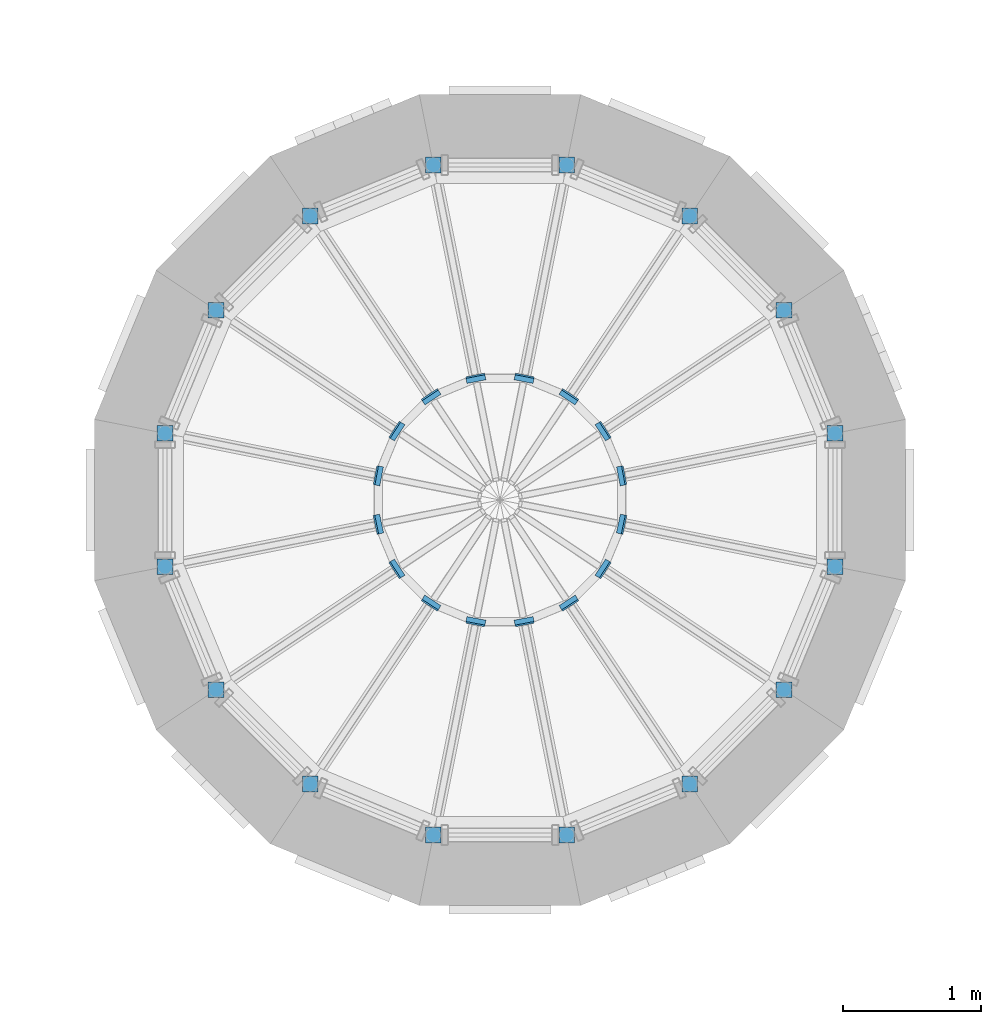
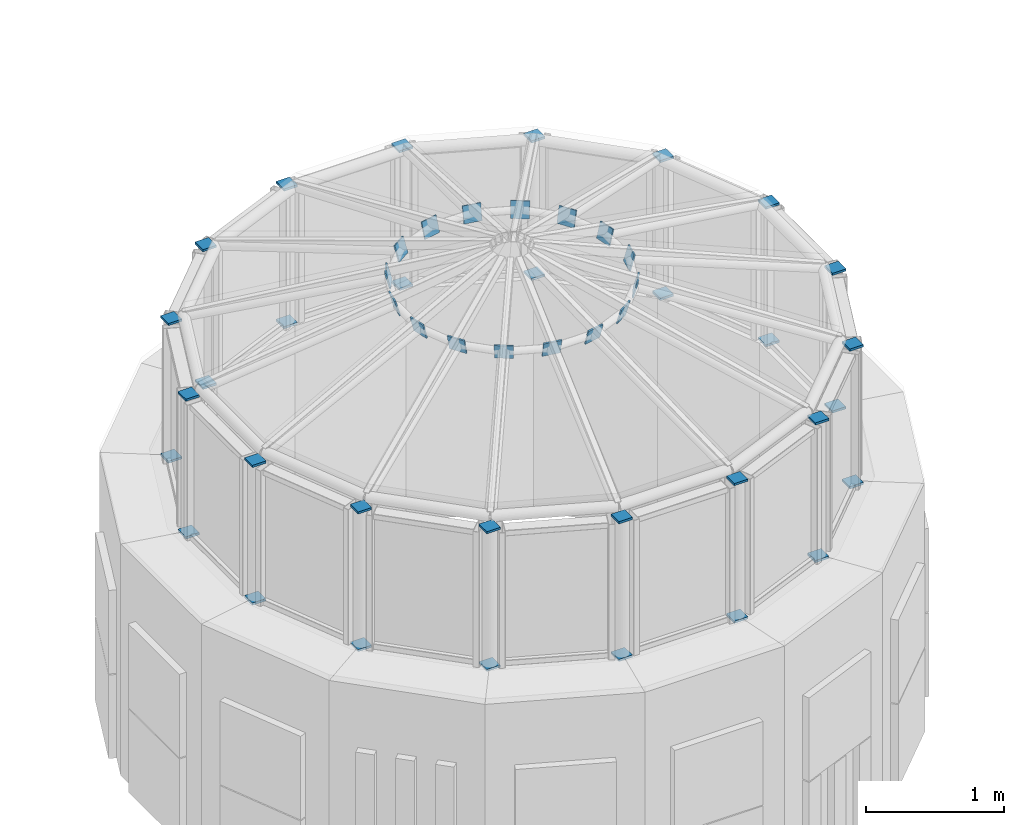
# One storey, part 30 of 36: 48 discrete accessories.
"""IFC4 building model written with IfcOpenShell, lengths in metres."""

from ifc_helpers import new_model, si_unit, direction, frame, origin, origin_2d, place, context, subcontext, project, spatial, rectangle, extrude, material, material_profile, profile_set, type_object, element, save


model = new_model("IFC4")

# Units and contexts
model_context = context("Model", 3, precision=1e-05, world=origin(), true_north=direction((0.0, 1.0)))
body_context = subcontext(model_context, "Body", "Model", "MODEL_VIEW")
ifc_project = project(units=[si_unit("LENGTHUNIT", "METRE"), si_unit("AREAUNIT", "SQUARE_METRE"), si_unit("VOLUMEUNIT", "CUBIC_METRE"), si_unit("PLANEANGLEUNIT", "RADIAN"), si_unit("MASSUNIT", "GRAM", prefix="KILO")], contexts=[model_context])

# Site, building, storey
site_placement = place(None, origin())
site = spatial("IfcSite", under=ifc_project, at=site_placement, CompositionType="ELEMENT")
building_placement = place(site_placement, origin())
building = spatial("IfcBuilding", under=site, at=building_placement, Name="Sun Court Science Centre", CompositionType="ELEMENT")
storey_placement = place(building_placement, frame((0.0, 0.0, 24.75)))
storey = spatial("IfcBuildingStorey", under=building, at=storey_placement, Name="L05", CompositionType="ELEMENT", Elevation=24.75)

# Discrete accessories
ifc_material_1 = material(Name="Steel S355", Category="steel")
discrete_accessory_type_1 = type_object("IfcDiscreteAccessoryType", Name="Hollow section end plate 20", PredefinedType="BRACKET", material=ifc_material_1)
for number, where, z_axis, x_axis, name in (
    (1, (44.4306640625, 24.68359375, 1.72998046875), (0.0, 0.0, 1.0), (1.0, 0.0, 0.0), "Cone 4 clerestory post 1 end plate"),
    (2, (44.4306640625, 24.68359375, 2.949951171875), (0.0, 0.0, 1.0), (1.0, 0.0, 0.0), "Cone 4 clerestory post 1 end plate"),
    (3, (44.060546875, 25.576904296875, 1.72998046875), (0.0, 0.0, 1.0), (1.0, 0.0, 0.0), "Cone 4 clerestory post 2 end plate"),
    (4, (44.060546875, 25.576904296875, 2.949951171875), (0.0, 0.0, 1.0), (1.0, 0.0, 0.0), "Cone 4 clerestory post 2 end plate"),
    (5, (43.376953125, 26.260498046875, 1.72998046875), (0.0, 0.0, 1.0), (1.0, 0.0, 0.0), "Cone 4 clerestory post 3 end plate"),
    (6, (43.376953125, 26.260498046875, 2.949951171875), (0.0, 0.0, 1.0), (1.0, 0.0, 0.0), "Cone 4 clerestory post 3 end plate"),
    (7, (42.4833984375, 26.630615234375, 1.72998046875), (0.0, 0.0, 1.0), (1.0, 0.0, 0.0), "Cone 4 clerestory post 4 end plate"),
    (8, (42.4833984375, 26.630615234375, 2.949951171875), (0.0, 0.0, 1.0), (1.0, 0.0, 0.0), "Cone 4 clerestory post 4 end plate"),
    (9, (41.5166015625, 26.630615234375, 1.72998046875), (0.0, 0.0, 1.0), (1.0, 0.0, 0.0), "Cone 4 clerestory post 5 end plate"),
    (10, (41.5166015625, 26.630615234375, 2.949951171875), (0.0, 0.0, 1.0), (1.0, 0.0, 0.0), "Cone 4 clerestory post 5 end plate"),
    (11, (40.623046875, 26.260498046875, 1.72998046875), (0.0, 0.0, 1.0), (1.0, 0.0, 0.0), "Cone 4 clerestory post 6 end plate"),
    (12, (40.623046875, 26.260498046875, 2.949951171875), (0.0, 0.0, 1.0), (1.0, 0.0, 0.0), "Cone 4 clerestory post 6 end plate"),
    (13, (39.939453125, 25.576904296875, 1.72998046875), (0.0, 0.0, 1.0), (1.0, 0.0, 0.0), "Cone 4 clerestory post 7 end plate"),
    (14, (39.939453125, 25.576904296875, 2.949951171875), (0.0, 0.0, 1.0), (1.0, 0.0, 0.0), "Cone 4 clerestory post 7 end plate"),
    (15, (39.5693359375, 24.68359375, 1.72998046875), (0.0, 0.0, 1.0), (1.0, 0.0, 0.0), "Cone 4 clerestory post 8 end plate"),
    (16, (39.5693359375, 24.68359375, 2.949951171875), (0.0, 0.0, 1.0), (1.0, 0.0, 0.0), "Cone 4 clerestory post 8 end plate"),
    (17, (39.5693359375, 23.716552734375, 1.72998046875), (0.0, 0.0, 1.0), (1.0, 0.0, 0.0), "Cone 4 clerestory post 9 end plate"),
    (18, (39.5693359375, 23.716552734375, 2.949951171875), (0.0, 0.0, 1.0), (1.0, 0.0, 0.0), "Cone 4 clerestory post 9 end plate"),
    (19, (39.939453125, 22.8232421875, 1.72998046875), (0.0, 0.0, 1.0), (1.0, 0.0, 0.0), "Cone 4 clerestory post 10 end plate"),
    (20, (39.939453125, 22.8232421875, 2.949951171875), (0.0, 0.0, 1.0), (1.0, 0.0, 0.0), "Cone 4 clerestory post 10 end plate"),
    (21, (40.623046875, 22.139404296875, 1.72998046875), (0.0, 0.0, 1.0), (1.0, 0.0, 0.0), "Cone 4 clerestory post 11 end plate"),
    (22, (40.623046875, 22.139404296875, 2.949951171875), (0.0, 0.0, 1.0), (1.0, 0.0, 0.0), "Cone 4 clerestory post 11 end plate"),
    (23, (41.5166015625, 21.769287109375, 1.72998046875), (0.0, 0.0, 1.0), (1.0, 0.0, 0.0), "Cone 4 clerestory post 12 end plate"),
    (24, (41.5166015625, 21.769287109375, 2.949951171875), (0.0, 0.0, 1.0), (1.0, 0.0, 0.0), "Cone 4 clerestory post 12 end plate"),
    (25, (42.4833984375, 21.769287109375, 1.72998046875), (0.0, 0.0, 1.0), (1.0, 0.0, 0.0), "Cone 4 clerestory post 13 end plate"),
    (26, (42.4833984375, 21.769287109375, 2.949951171875), (0.0, 0.0, 1.0), (1.0, 0.0, 0.0), "Cone 4 clerestory post 13 end plate"),
    (27, (43.376953125, 22.139404296875, 1.72998046875), (0.0, 0.0, 1.0), (1.0, 0.0, 0.0), "Cone 4 clerestory post 14 end plate"),
    (28, (43.376953125, 22.139404296875, 2.949951171875), (0.0, 0.0, 1.0), (1.0, 0.0, 0.0), "Cone 4 clerestory post 14 end plate"),
    (29, (44.060546875, 22.8232421875, 1.72998046875), (0.0, 0.0, 1.0), (1.0, 0.0, 0.0), "Cone 4 clerestory post 15 end plate"),
    (30, (44.060546875, 22.8232421875, 2.949951171875), (0.0, 0.0, 1.0), (1.0, 0.0, 0.0), "Cone 4 clerestory post 15 end plate"),
    (31, (44.4306640625, 23.716552734375, 1.72998046875), (0.0, 0.0, 1.0), (1.0, 0.0, 0.0), "Cone 4 clerestory post 16 end plate"),
    (32, (44.4306640625, 23.716552734375, 2.949951171875), (0.0, 0.0, 1.0), (1.0, 0.0, 0.0), "Cone 4 clerestory post 16 end plate"),
):
    element("IfcDiscreteAccessory", number, at=place(storey_placement, frame(where, z_axis=z_axis, x_axis=x_axis)), inside=storey, type_object=discrete_accessory_type_1, Name=name, PredefinedType="BRACKET", context=body_context, shape_type="SweptSolid", body=[
        extrude(rectangle(XDim=0.114013671875, YDim=0.114013671875, at=origin_2d()), origin(), (0.0, 0.0, 1.0), 0.02001953125),
    ])
ifc_material_2 = material(Name="Steel S355", Category="steel")
ifc_material_profile = material_profile(ifc_material_2, rectangle(XDim=0.139892578125, YDim=0.139892578125, at=origin_2d()), Name="PL 140x140")
ifc_profile_set = profile_set([ifc_material_profile], Name="Steel S355")
discrete_accessory_type_2 = type_object("IfcDiscreteAccessoryType", Name="Lantern node plate 140x140x12", PredefinedType="BRACKET", material=ifc_profile_set)
discrete_accessory_1_placement = place(storey_placement, frame((42.888427734375, 24.376708984375, 3.40869140625), z_axis=(-0.947804122987, -0.181494406529, 0.262158587209), x_axis=(0.188072270788, -0.982155191892, 0.0)))
element("IfcDiscreteAccessory", 33, at=discrete_accessory_1_placement, inside=storey, type_object=discrete_accessory_type_2, Name="Lantern node plate 49", PredefinedType="BRACKET", context=body_context, shape_type="SweptSolid", body=[
    extrude(rectangle(XDim=0.139892578125, YDim=0.139892578125, at=origin_2d()), origin(), (0.0, 0.0, 1.0), 0.01220703125),
])
for number, where, z_axis, x_axis, name in (
    (34, (42.753173828125, 24.703125, 3.40869140625), (-0.808947914279, -0.525816144281, 0.262908072141), (0.544988350595, -0.838443616301, 0.0), "Lantern node plate 50"),
    (35, (42.503173828125, 24.953125, 3.40869140625), (-0.534522483825, -0.801783725737, 0.267261241912), (0.832050294338, -0.554700196225, 0.0), "Lantern node plate 51"),
    (36, (42.1767578125, 25.08837890625, 3.40869140625), (-0.185027013632, -0.945693625229, 0.267261241912), (0.98139265486, -0.192011606386, 0.0), "Lantern node plate 52"),
    (37, (41.8232421875, 25.08837890625, 3.40869140625), (0.185027013632, -0.945693625229, 0.267261241912), (0.98139265486, 0.192011606386, 0.0), "Lantern node plate 53"),
    (38, (41.496826171875, 24.953125, 3.40869140625), (0.534522483825, -0.801783725737, 0.267261241912), (0.832050294338, 0.554700196225, 0.0), "Lantern node plate 54"),
    (39, (41.246826171875, 24.703125, 3.40869140625), (0.808947914279, -0.525816144281, 0.262908072141), (0.544988350595, 0.838443616301, 0.0), "Lantern node plate 55"),
):
    element("IfcDiscreteAccessory", number, at=place(storey_placement, frame(where, z_axis=z_axis, x_axis=x_axis)), inside=storey, type_object=discrete_accessory_type_2, Name=name, PredefinedType="BRACKET", context=body_context, shape_type="SweptSolid", body=[
        extrude(rectangle(XDim=0.139892578125, YDim=0.139892578125, at=origin_2d()), origin(), (0.0, 0.0, 1.0), 0.011962890625),
    ])
for number, where, z_axis, x_axis, name in (
    (40, (41.111572265625, 24.376708984375, 3.40869140625), (0.947804122987, -0.181494406529, 0.262158587209), (0.188072270788, 0.982155191892, 0.0), "Lantern node plate 56"),
    (41, (41.111572265625, 24.023193359375, 3.40869140625), (0.944163499336, 0.200885850923, 0.261151606199), (-0.208107644465, 0.978105928985, 0.0), "Lantern node plate 57"),
):
    element("IfcDiscreteAccessory", number, at=place(storey_placement, frame(where, z_axis=z_axis, x_axis=x_axis)), inside=storey, type_object=discrete_accessory_type_2, Name=name, PredefinedType="BRACKET", context=body_context, shape_type="SweptSolid", body=[
        extrude(rectangle(XDim=0.139892578125, YDim=0.139892578125, at=origin_2d()), origin(), (0.0, 0.0, 1.0), 0.01220703125),
    ])
for number, where, z_axis, x_axis, name in (
    (42, (41.246826171875, 23.69677734375, 3.40869140625), (0.808947914279, 0.525816144281, 0.262908072141), (-0.544988350595, 0.838443616301, 0.0), "Lantern node plate 58"),
    (43, (41.496826171875, 23.44677734375, 3.40869140625), (0.525816144281, 0.808947914279, 0.262908072141), (-0.838443616301, 0.544988350595, 0.0), "Lantern node plate 59"),
):
    element("IfcDiscreteAccessory", number, at=place(storey_placement, frame(where, z_axis=z_axis, x_axis=x_axis)), inside=storey, type_object=discrete_accessory_type_2, Name=name, PredefinedType="BRACKET", context=body_context, shape_type="SweptSolid", body=[
        extrude(rectangle(XDim=0.139892578125, YDim=0.139892578125, at=origin_2d()), origin(), (0.0, 0.0, 1.0), 0.011962890625),
    ])
for number, where, z_axis, x_axis, name in (
    (44, (41.8232421875, 23.3115234375, 3.40869140625), (0.181494406529, 0.947804122987, 0.262158587209), (-0.982155191892, 0.188072270788, 0.0), "Lantern node plate 60"),
    (45, (42.1767578125, 23.3115234375, 3.40869140625), (-0.181494406529, 0.947804122987, 0.262158587209), (-0.982155191892, -0.188072270788, 0.0), "Lantern node plate 61"),
):
    element("IfcDiscreteAccessory", number, at=place(storey_placement, frame(where, z_axis=z_axis, x_axis=x_axis)), inside=storey, type_object=discrete_accessory_type_2, Name=name, PredefinedType="BRACKET", context=body_context, shape_type="SweptSolid", body=[
        extrude(rectangle(XDim=0.139892578125, YDim=0.139892578125, at=origin_2d()), origin(), (0.0, 0.0, 1.0), 0.01220703125),
    ])
for number, where, z_axis, x_axis, name in (
    (46, (42.503173828125, 23.44677734375, 3.40869140625), (-0.525816144281, 0.808947914279, 0.262908072141), (-0.838443616301, -0.544988350595, 0.0), "Lantern node plate 62"),
    (47, (42.753173828125, 23.69677734375, 3.40869140625), (-0.808947914279, 0.525816144281, 0.262908072141), (-0.544988350595, -0.838443616301, 0.0), "Lantern node plate 63"),
):
    element("IfcDiscreteAccessory", number, at=place(storey_placement, frame(where, z_axis=z_axis, x_axis=x_axis)), inside=storey, type_object=discrete_accessory_type_2, Name=name, PredefinedType="BRACKET", context=body_context, shape_type="SweptSolid", body=[
        extrude(rectangle(XDim=0.139892578125, YDim=0.139892578125, at=origin_2d()), origin(), (0.0, 0.0, 1.0), 0.011962890625),
    ])
discrete_accessory_2_placement = place(storey_placement, frame((42.888427734375, 24.023193359375, 3.40869140625), z_axis=(-0.944163499336, 0.200885850923, 0.261151606199), x_axis=(-0.208107644465, -0.978105928985, 0.0)))
element("IfcDiscreteAccessory", 48, at=discrete_accessory_2_placement, inside=storey, type_object=discrete_accessory_type_2, Name="Lantern node plate 64", PredefinedType="BRACKET", context=body_context, shape_type="SweptSolid", body=[
    extrude(rectangle(XDim=0.139892578125, YDim=0.139892578125, at=origin_2d()), origin(), (0.0, 0.0, 1.0), 0.01220703125),
])

save(model, "model.ifc")
